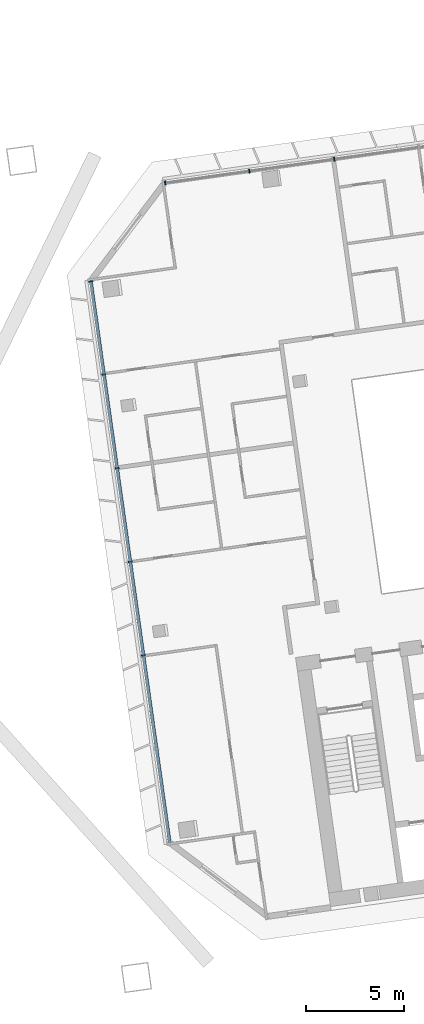
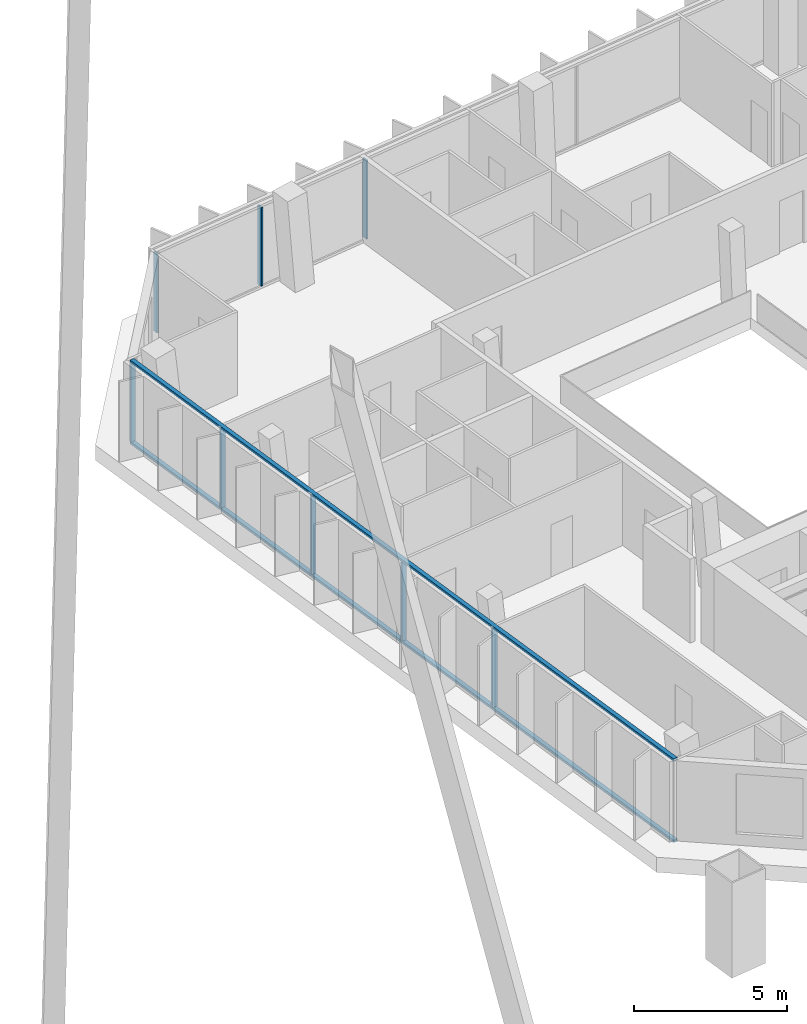
# One storey, part 10 of 26: 10 members, 2 elements without a shape of their own.
"""IFC4 building model written with IfcOpenShell, lengths in metres."""

from ifc_helpers import new_model, si_unit, direction, frame, origin, origin_2d, place, context, subcontext, project, spatial, rectangle, extrude, material, material_profile, profile_set, type_object, element, aggregate, save


model = new_model("IFC4")

# Units and contexts
model_context = context("Model", 3, precision=1e-05, world=origin(), true_north=direction((0.0, 1.0)))
body_context = subcontext(model_context, "Body", "Model", "MODEL_VIEW")
ifc_project = project(units=[si_unit("LENGTHUNIT", "METRE"), si_unit("AREAUNIT", "SQUARE_METRE"), si_unit("VOLUMEUNIT", "CUBIC_METRE"), si_unit("PLANEANGLEUNIT", "RADIAN"), si_unit("MASSUNIT", "GRAM", prefix="KILO")], contexts=[model_context])

# Site, building, storey
site_placement = place(None, origin())
site = spatial("IfcSite", under=ifc_project, at=site_placement, CompositionType="ELEMENT")
building_placement = place(site_placement, origin())
building = spatial("IfcBuilding", under=site, at=building_placement, Name="Mirante Cascada Hotel Towers", CompositionType="ELEMENT")
storey_placement = place(building_placement, frame((0.0, 0.0, 203.0)))
storey = spatial("IfcBuildingStorey", under=building, at=storey_placement, Name="L48", CompositionType="ELEMENT", Elevation=203.0)

# Curtain wall, members
ifc_material_1 = material(Name="Aluminium mullion and transom frame with clear laminated glass", Category="aluminium")
curtain_wall_type_1 = type_object("IfcCurtainWallType", Name="Ribbon curtain wall ECW1", PredefinedType="NOTDEFINED", material=ifc_material_1)
curtain_wall_1_placement = place(storey_placement, origin())
curtain_wall_1 = element("IfcCurtainWall", 1, at=curtain_wall_1_placement, inside=storey, type_object=curtain_wall_type_1, Name="Front ribbon wall T2 L48", PredefinedType="NOTDEFINED")
ifc_material_2 = material(Name="Anodised aluminium extrusion", Category="aluminium")
ifc_material_profile_1 = material_profile(ifc_material_2, rectangle(XDim=0.2, YDim=0.065, at=origin_2d()), Name="ECW1 MULLION 65x200")
ifc_profile_set_1 = profile_set([ifc_material_profile_1], Name="Anodised aluminium extrusion")
member_type_1 = type_object("IfcMemberType", Name="ECW1 mullion 65x200", PredefinedType="MULLION", material=ifc_profile_set_1)
member_1_placement = place(storey_placement, frame((37.459, 18.0835, 0.1), z_axis=(0.0, 0.0, 1.0), x_axis=(0.1391731, -0.9902681, 0.0)))
member_1 = element("IfcMember", 2, at=member_1_placement, type_object=member_type_1, Name="ECW1 mullion 10", PredefinedType="MULLION", context=body_context, shape_type="SweptSolid", body=[
    extrude(rectangle(XDim=0.2, YDim=0.065, at=origin_2d()), origin(), (0.0, 0.0, 1.0), 3.15),
])
member_2_placement = place(storey_placement, frame((33.1396, 17.4765, 0.1), z_axis=(0.0, 0.0, 1.0), x_axis=(0.1391731, -0.9902681, 0.0)))
member_2 = element("IfcMember", 3, at=member_2_placement, type_object=member_type_1, Name="ECW1 mullion 11", PredefinedType="MULLION", context=body_context, shape_type="SweptSolid", body=[
    extrude(rectangle(XDim=0.2, YDim=0.065, at=origin_2d()), origin(), (0.0, 0.0, 1.0), 3.15),
])
member_3_placement = place(storey_placement, frame((28.8524, 16.874, 0.1), z_axis=(0.0, 0.0, 1.0), x_axis=(0.1391731, -0.9902681, 0.0)))
member_3 = element("IfcMember", 4, at=member_3_placement, type_object=member_type_1, Name="ECW1 mullion 12", PredefinedType="MULLION", context=body_context, shape_type="SweptSolid", body=[
    extrude(rectangle(XDim=0.2, YDim=0.065, at=origin_2d()), origin(), (0.0, 0.0, 1.0), 3.15),
])
aggregate(curtain_wall_1, [member_1, member_2, member_3])

ifc_material_3 = material(Name="Aluminium mullion and transom frame with clear laminated glass", Category="aluminium")
curtain_wall_type_2 = type_object("IfcCurtainWallType", Name="End ribbon curtain wall ECW2", PredefinedType="NOTDEFINED", material=ifc_material_3)
curtain_wall_2_placement = place(storey_placement, origin())
curtain_wall_2 = element("IfcCurtainWall", 5, at=curtain_wall_2_placement, inside=storey, type_object=curtain_wall_type_2, Name="Inner end wall T2 L48", PredefinedType="NOTDEFINED")
ifc_material_4 = material(Name="Anodised aluminium extrusion", Category="aluminium")
ifc_material_profile_2 = material_profile(ifc_material_4, rectangle(XDim=0.2, YDim=0.065, at=origin_2d()), Name="ECW2 MULLION 65x200")
ifc_profile_set_2 = profile_set([ifc_material_profile_2], Name="Anodised aluminium extrusion")
member_type_2 = type_object("IfcMemberType", Name="ECW2 mullion 65x200", PredefinedType="MULLION", material=ifc_profile_set_2)
member_4_placement = place(storey_placement, frame((25.0696, 11.854, 0.1), z_axis=(0.0, 0.0, 1.0), x_axis=(0.9902681, 0.1391731, 0.0)))
member_4 = element("IfcMember", 6, at=member_4_placement, type_object=member_type_2, Name="ECW2 mullion 1", PredefinedType="MULLION", context=body_context, shape_type="SweptSolid", body=[
    extrude(rectangle(XDim=0.2, YDim=0.065, at=origin_2d()), origin(), (0.0, 0.0, 1.0), 3.15),
])
member_5_placement = place(storey_placement, frame((25.7349, 7.1204, 0.1), z_axis=(0.0, 0.0, 1.0), x_axis=(0.9902681, 0.1391731, 0.0)))
member_5 = element("IfcMember", 7, at=member_5_placement, type_object=member_type_2, Name="ECW2 mullion 2", PredefinedType="MULLION", context=body_context, shape_type="SweptSolid", body=[
    extrude(rectangle(XDim=0.2, YDim=0.065, at=origin_2d()), origin(), (0.0, 0.0, 1.0), 3.15),
])
member_6_placement = place(storey_placement, frame((26.4046, 2.3546, 0.1), z_axis=(0.0, 0.0, 1.0), x_axis=(0.9902681, 0.1391731, 0.0)))
member_6 = element("IfcMember", 8, at=member_6_placement, type_object=member_type_2, Name="ECW2 mullion 3", PredefinedType="MULLION", context=body_context, shape_type="SweptSolid", body=[
    extrude(rectangle(XDim=0.2, YDim=0.065, at=origin_2d()), origin(), (0.0, 0.0, 1.0), 3.15),
])
member_7_placement = place(storey_placement, frame((27.0744, -2.4112, 0.1), z_axis=(0.0, 0.0, 1.0), x_axis=(0.9902681, 0.1391731, 0.0)))
member_7 = element("IfcMember", 9, at=member_7_placement, type_object=member_type_2, Name="ECW2 mullion 4", PredefinedType="MULLION", context=body_context, shape_type="SweptSolid", body=[
    extrude(rectangle(XDim=0.2, YDim=0.065, at=origin_2d()), origin(), (0.0, 0.0, 1.0), 3.15),
])
member_8_placement = place(storey_placement, frame((27.7442, -7.1769, 0.1), z_axis=(0.0, 0.0, 1.0), x_axis=(0.9902681, 0.1391731, 0.0)))
member_8 = element("IfcMember", 10, at=member_8_placement, type_object=member_type_2, Name="ECW2 mullion 5", PredefinedType="MULLION", context=body_context, shape_type="SweptSolid", body=[
    extrude(rectangle(XDim=0.2, YDim=0.065, at=origin_2d()), origin(), (0.0, 0.0, 1.0), 3.15),
])
ifc_material_5 = material(Name="Anodised aluminium extrusion", Category="aluminium")
ifc_material_profile_3 = material_profile(ifc_material_5, rectangle(XDim=0.16, YDim=0.1, at=origin_2d()), Name="ECW2 TRANSOM 100x160")
ifc_profile_set_3 = profile_set([ifc_material_profile_3], Name="Anodised aluminium extrusion")
member_type_3 = type_object("IfcMemberType", Name="ECW2 transom 100x160", PredefinedType="USERDEFINED", material=ifc_profile_set_3)
member_9_placement = place(storey_placement, frame((25.0651, 11.8862, 0.05), z_axis=(0.1391723, -0.9902682, 0.0), x_axis=(0.9902682, 0.1391723, 0.0)))
member_9 = element("IfcMember", 11, at=member_9_placement, type_object=member_type_3, Name="ECW2 sill transom", ObjectType="TRANSOM", PredefinedType="USERDEFINED", context=body_context, shape_type="SweptSolid", body=[
    extrude(rectangle(XDim=0.16, YDim=0.1, at=origin_2d()), origin(), (0.0, 0.0, 1.0), 28.8757),
])
member_10_placement = place(storey_placement, frame((25.0651, 11.8862, 3.3), z_axis=(0.1391723, -0.9902682, 0.0), x_axis=(0.9902682, 0.1391723, 0.0)))
member_10 = element("IfcMember", 12, at=member_10_placement, type_object=member_type_3, Name="ECW2 head transom", ObjectType="TRANSOM", PredefinedType="USERDEFINED", context=body_context, shape_type="SweptSolid", body=[
    extrude(rectangle(XDim=0.16, YDim=0.1, at=origin_2d()), origin(), (0.0, 0.0, 1.0), 28.8757),
])
aggregate(curtain_wall_2, [member_9, member_10, member_4, member_5, member_6, member_7, member_8])

save(model, "model.ifc")
